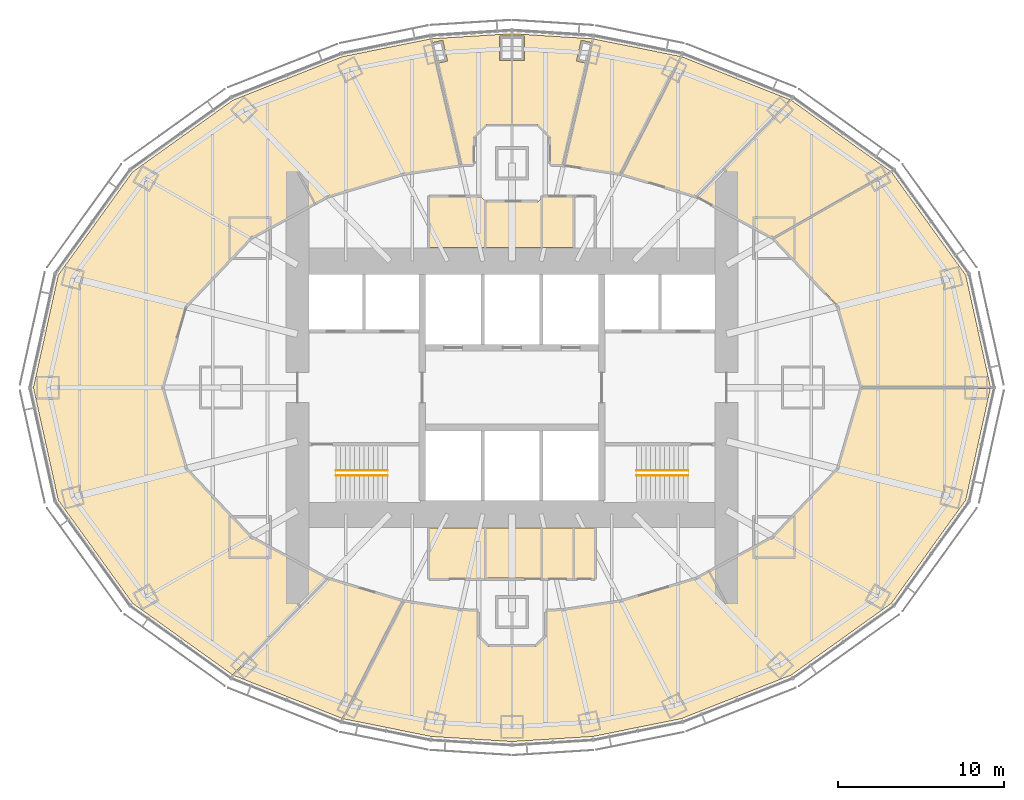
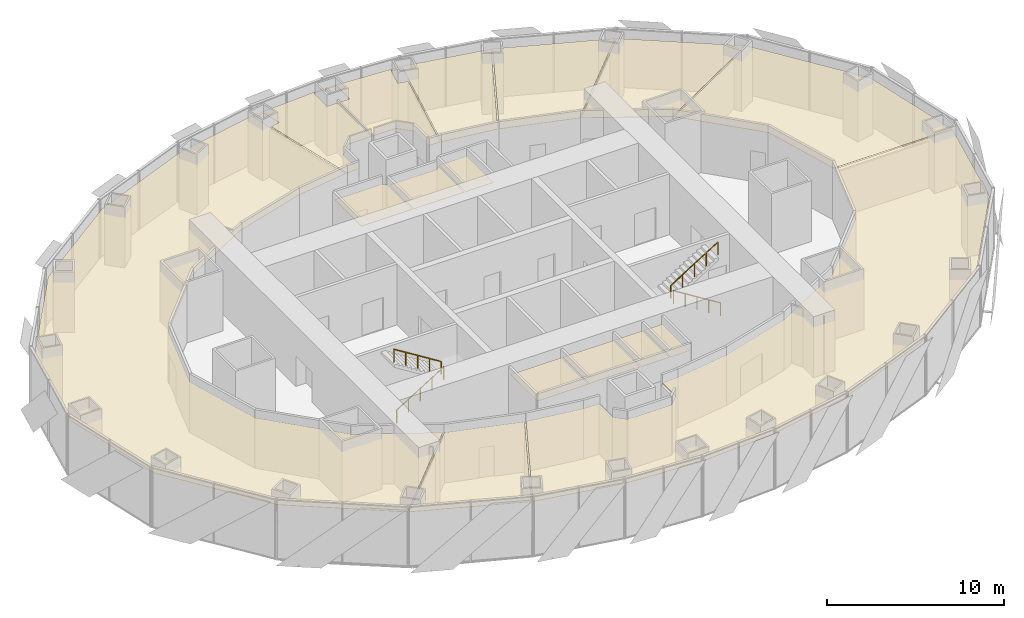
# One storey, part 18 of 18: 16 coverings, 4 railings.
"""IFC4 building model written with IfcOpenShell, lengths in metres."""

from ifc_helpers import new_model, si_unit, direction, frame, origin, origin_2d, place, context, subcontext, project, spatial, polyline, circle, outline, extrude, material, layer, layer_set, type_object, element, save


model = new_model("IFC4")

# Units and contexts
model_context = context("Model", 3, precision=1e-05, world=origin(), true_north=direction((0.0, 1.0)))
body_context = subcontext(model_context, "Body", "Model", "MODEL_VIEW")
ifc_project = project(units=[si_unit("LENGTHUNIT", "METRE"), si_unit("AREAUNIT", "SQUARE_METRE"), si_unit("VOLUMEUNIT", "CUBIC_METRE"), si_unit("PLANEANGLEUNIT", "RADIAN"), si_unit("MASSUNIT", "GRAM", prefix="KILO")], contexts=[model_context])

# Site, building, storey
site_placement = place(None, origin())
site = spatial("IfcSite", under=ifc_project, at=site_placement, CompositionType="ELEMENT")
building_placement = place(site_placement, origin())
building = spatial("IfcBuilding", under=site, at=building_placement, Name="Lantaw Convention Tower", CompositionType="ELEMENT")
storey_placement = place(building_placement, frame((0.0, 0.0, 180.39990234375)))
storey = spatial("IfcBuildingStorey", under=building, at=storey_placement, Name="L42", CompositionType="ELEMENT", Elevation=180.39990234375)

# Railings
ifc_material_1 = material(Name="Stainless steel", Category="steel")
railing_type = type_object("IfcRailingType", Name="Stair handrail", PredefinedType="HANDRAIL", material=ifc_material_1)
railing_1_placement = place(storey_placement, frame((-10.580078125, -5.280029296875, 0.175048828125)))
element("IfcRailing", 1, at=railing_1_placement, inside=storey, type_object=railing_type, Name="Stair handrail S1", PredefinedType="HANDRAIL", context=body_context, shape_type="SweptSolid", body=[
    extrude(circle(Radius=0.02392578125, at=origin_2d()), frame((0.0, 0.0, 0.8759765625), z_axis=(0.847998304005, 0.0, 0.529998940003), x_axis=(0.0, 1.0, 0.0)), (0.0, 0.0, 1.0), 3.632080078125),
    extrude(circle(Radius=0.02099609375, at=origin_2d()), origin(), (0.0, 0.0, 1.0), 0.851806640625),
    extrude(circle(Radius=0.02099609375, at=origin_2d()), frame((0.77001953125, 0.0, 0.481201171875)), (0.0, 0.0, 1.0), 0.851806640625),
    extrude(circle(Radius=0.02099609375, at=origin_2d()), frame((1.5400390625, 0.0, 0.96240234375)), (0.0, 0.0, 1.0), 0.851806640625),
    extrude(circle(Radius=0.02099609375, at=origin_2d()), frame((2.31005859375, 0.0, 1.44384765625)), (0.0, 0.0, 1.0), 0.851806640625),
    extrude(circle(Radius=0.02099609375, at=origin_2d()), frame((3.080078125, 0.0, 1.925048828125)), (0.0, 0.0, 1.0), 0.851806640625),
])
for number, where, name in (
    (2, (-7.5, -4.97998046875, 2.275146484375), "Stair handrail S1"),
    (3, (10.580078125, -5.280029296875, 0.175048828125), "Stair handrail S2"),
):
    element("IfcRailing", number, at=place(storey_placement, frame(where)), inside=storey, type_object=railing_type, Name=name, PredefinedType="HANDRAIL", context=body_context, shape_type="SweptSolid", body=[
        extrude(circle(Radius=0.02392578125, at=origin_2d()), frame((0.0, 0.0, 0.8759765625), z_axis=(-0.847998304005, 0.0, 0.529998940003), x_axis=(0.0, -1.0, 0.0)), (0.0, 0.0, 1.0), 3.632080078125),
        extrude(circle(Radius=0.02099609375, at=origin_2d()), origin(), (0.0, 0.0, 1.0), 0.851806640625),
        extrude(circle(Radius=0.02099609375, at=origin_2d()), frame((-0.77001953125, 0.0, 0.481201171875)), (0.0, 0.0, 1.0), 0.851806640625),
        extrude(circle(Radius=0.02099609375, at=origin_2d()), frame((-1.5400390625, 0.0, 0.96240234375)), (0.0, 0.0, 1.0), 0.851806640625),
        extrude(circle(Radius=0.02099609375, at=origin_2d()), frame((-2.31005859375, 0.0, 1.44384765625)), (0.0, 0.0, 1.0), 0.851806640625),
        extrude(circle(Radius=0.02099609375, at=origin_2d()), frame((-3.080078125, 0.0, 1.925048828125)), (0.0, 0.0, 1.0), 0.851806640625),
    ])
railing_2_placement = place(storey_placement, frame((7.5, -4.97998046875, 2.275146484375)))
element("IfcRailing", 4, at=railing_2_placement, inside=storey, type_object=railing_type, Name="Stair handrail S2", PredefinedType="HANDRAIL", context=body_context, shape_type="SweptSolid", body=[
    extrude(circle(Radius=0.02392578125, at=origin_2d()), frame((0.0, 0.0, 0.8759765625), z_axis=(0.847998304005, 0.0, 0.529998940003), x_axis=(0.0, 1.0, 0.0)), (0.0, 0.0, 1.0), 3.632080078125),
    extrude(circle(Radius=0.02099609375, at=origin_2d()), origin(), (0.0, 0.0, 1.0), 0.851806640625),
    extrude(circle(Radius=0.02099609375, at=origin_2d()), frame((0.77001953125, 0.0, 0.481201171875)), (0.0, 0.0, 1.0), 0.851806640625),
    extrude(circle(Radius=0.02099609375, at=origin_2d()), frame((1.5400390625, 0.0, 0.96240234375)), (0.0, 0.0, 1.0), 0.851806640625),
    extrude(circle(Radius=0.02099609375, at=origin_2d()), frame((2.31005859375, 0.0, 1.44384765625)), (0.0, 0.0, 1.0), 0.851806640625),
    extrude(circle(Radius=0.02099609375, at=origin_2d()), frame((3.080078125, 0.0, 1.925048828125)), (0.0, 0.0, 1.0), 0.851806640625),
])

# Coverings
ifc_material_2 = material(Name="Gypsum board on steel suspension grid", Category="steel")
ifc_layer = layer(ifc_material_2, 0.02001953125)
ifc_layer_set = layer_set([ifc_layer], Name="Suspended ceiling")
covering_type = type_object("IfcCoveringType", Name="Suspended ceiling", PredefinedType="CEILING", material=ifc_layer_set)
covering_1_placement = place(storey_placement, frame((0.0, 0.0, 3.4501953125)))
element("IfcCovering", 5, at=covering_1_placement, inside=storey, type_object=covering_type, Name="Male WC ceiling", PredefinedType="CEILING", context=body_context, shape_type="SweptSolid", body=[
    extrude(outline(polyline([(-4.9599609375, 11.471923828125), (-4.9599609375, 8.43994140625), (-1.639892578125, 8.43994140625), (-1.639892578125, 11.26611328125), (-1.845947265625, 11.471923828125), (-4.9599609375, 11.471923828125)])), origin(), (0.0, 0.0, 1.0), 0.02001953125),
])
covering_2_placement = place(storey_placement, frame((0.0, 0.0, 3.4501953125)))
element("IfcCovering", 6, at=covering_2_placement, inside=storey, type_object=covering_type, Name="Female WC ceiling", PredefinedType="CEILING", context=body_context, shape_type="SweptSolid", body=[
    extrude(outline(polyline([(-1.56005859375, 11.186279296875), (-1.56005859375, 8.43994140625), (1.760009765625, 8.43994140625), (1.760009765625, 11.38623046875), (1.548828125, 11.175048828125), (-1.548828125, 11.175048828125), (-1.56005859375, 11.186279296875)])), origin(), (0.0, 0.0, 1.0), 0.02001953125),
])
covering_3_placement = place(storey_placement, frame((0.0, 0.0, 3.4501953125)))
element("IfcCovering", 7, at=covering_3_placement, inside=storey, type_object=covering_type, Name="Accessible WC ceiling", PredefinedType="CEILING", context=body_context, shape_type="SweptSolid", body=[
    extrude(outline(polyline([(1.840087890625, 11.466064453125), (1.840087890625, 8.43994140625), (3.659912109375, 8.43994140625), (3.659912109375, 11.471923828125), (1.845947265625, 11.471923828125), (1.840087890625, 11.466064453125)])), origin(), (0.0, 0.0, 1.0), 0.02001953125),
])
covering_4_placement = place(storey_placement, frame((0.0, 0.0, 3.4501953125)))
element("IfcCovering", 8, at=covering_4_placement, inside=storey, type_object=covering_type, Name="Male WC ceiling", PredefinedType="CEILING", context=body_context, shape_type="SweptSolid", body=[
    extrude(outline(polyline([(-4.9599609375, -11.471923828125), (-1.639892578125, -11.471923828125), (-1.639892578125, -8.43994140625), (-4.9599609375, -8.43994140625), (-4.9599609375, -11.471923828125)])), origin(), (0.0, 0.0, 1.0), 0.02001953125),
])
covering_5_placement = place(storey_placement, frame((0.0, 0.0, 3.4501953125)))
element("IfcCovering", 9, at=covering_5_placement, inside=storey, type_object=covering_type, Name="Female WC ceiling", PredefinedType="CEILING", context=body_context, shape_type="SweptSolid", body=[
    extrude(outline(polyline([(-1.56005859375, -8.43994140625), (-1.56005859375, -11.471923828125), (-1.47802734375, -11.471923828125), (-1.441162109375, -11.43505859375), (1.441162109375, -11.43505859375), (1.47802734375, -11.471923828125), (1.760009765625, -11.471923828125), (1.760009765625, -8.43994140625), (-1.56005859375, -8.43994140625)])), origin(), (0.0, 0.0, 1.0), 0.02001953125),
])
covering_6_placement = place(storey_placement, frame((0.0, 0.0, 3.4501953125)))
element("IfcCovering", 10, at=covering_6_placement, inside=storey, type_object=covering_type, Name="Accessible WC ceiling", PredefinedType="CEILING", context=body_context, shape_type="SweptSolid", body=[
    extrude(outline(polyline([(1.840087890625, -11.471923828125), (3.659912109375, -11.471923828125), (3.659912109375, -8.43994140625), (1.840087890625, -8.43994140625), (1.840087890625, -11.471923828125)])), origin(), (0.0, 0.0, 1.0), 0.02001953125),
])
covering_7_placement = place(storey_placement, frame((0.0, 0.0, 3.4501953125)))
element("IfcCovering", 11, at=covering_7_placement, inside=storey, type_object=covering_type, Name="Pantry ceiling", PredefinedType="CEILING", context=body_context, shape_type="SweptSolid", body=[
    extrude(outline(polyline([(3.739990234375, -11.471923828125), (4.9599609375, -11.471923828125), (4.9599609375, -8.43994140625), (3.739990234375, -8.43994140625), (3.739990234375, -11.471923828125)])), origin(), (0.0, 0.0, 1.0), 0.02001953125),
])
covering_8_placement = place(storey_placement, frame((0.0, 0.0, 3.4501953125)))
element("IfcCovering", 12, at=covering_8_placement, inside=storey, type_object=covering_type, Name="Boardroom ceiling", PredefinedType="CEILING", context=body_context, shape_type="SweptSolid", body=[
    extrude(outline(polyline([(21.030029296875, 0.0400390625), (28.77099609375, 0.0400390625), (27.286865234375, 6.763671875), (22.832275390625, 12.947265625), (15.760009765625, 8.959228515625), (19.61474609375, 4.902099609375), (21.030029296875, 0.0400390625)])), origin(), (0.0, 0.0, 1.0), 0.02001953125),
])
covering_9_placement = place(storey_placement, frame((0.0, 0.0, 3.4501953125)))
element("IfcCovering", 13, at=covering_9_placement, inside=storey, type_object=covering_type, Name="Meeting room ceiling", PredefinedType="CEILING", context=body_context, shape_type="SweptSolid", body=[
    extrude(outline(polyline([(15.6953125, 9.0146484375), (22.76953125, 13.003662109375), (16.802001953125, 17.274169921875), (11.1416015625, 11.4794921875), (15.6953125, 9.0146484375)])), origin(), (0.0, 0.0, 1.0), 0.02001953125),
])
covering_10_placement = place(storey_placement, frame((0.0, 0.0, 3.4501953125)))
element("IfcCovering", 14, at=covering_10_placement, inside=storey, type_object=covering_type, Name="Meeting room ceiling", PredefinedType="CEILING", context=body_context, shape_type="SweptSolid", body=[
    extrude(outline(polyline([(11.064453125, 11.514892578125), (16.726806640625, 17.311767578125), (10.217041015625, 19.893798828125), (6.594482421875, 12.853759765625), (11.064453125, 11.514892578125)])), origin(), (0.0, 0.0, 1.0), 0.02001953125),
])
covering_11_placement = place(storey_placement, frame((0.0, 0.0, 3.4501953125)))
element("IfcCovering", 15, at=covering_11_placement, inside=storey, type_object=covering_type, Name="Meeting room ceiling", PredefinedType="CEILING", context=body_context, shape_type="SweptSolid", body=[
    extrude(outline(polyline([(6.514404296875, 12.873046875), (10.13818359375, 19.91552734375), (4.899658203125, 20.970947265625), (3.1318359375, 13.38671875), (6.514404296875, 12.873046875)])), origin(), (0.0, 0.0, 1.0), 0.02001953125),
])
covering_12_placement = place(storey_placement, frame((0.0, 0.0, 3.4501953125)))
element("IfcCovering", 16, at=covering_12_placement, inside=storey, type_object=covering_type, Name="Training room ceiling", PredefinedType="CEILING", context=body_context, shape_type="SweptSolid", body=[
    extrude(outline(polyline([(2.324951171875, 15.048828125), (2.324951171875, 13.4296875), (3.051513671875, 13.395263671875), (4.475341796875, 19.50244140625), (3.87744140625, 19.640380859375), (4.16552734375, 20.8876953125), (4.765869140625, 20.7490234375), (4.81982421875, 20.98095703125), (0.0400390625, 21.281982421875), (0.0400390625, 21.139892578125), (0.739990234375, 21.139892578125), (0.739990234375, 19.659912109375), (0.0400390625, 19.659912109375), (0.0400390625, 15.824951171875), (1.548828125, 15.824951171875), (2.324951171875, 15.048828125)])), origin(), (0.0, 0.0, 1.0), 0.02001953125),
])
covering_13_placement = place(storey_placement, frame((0.0, 0.0, 3.4501953125)))
element("IfcCovering", 17, at=covering_13_placement, inside=storey, type_object=covering_type, Name="Pantry ceiling", PredefinedType="CEILING", context=body_context, shape_type="SweptSolid", body=[
    extrude(outline(polyline([(-4.475341796875, 19.50244140625), (-3.051513671875, 13.395263671875), (-2.324951171875, 13.4296875), (-2.324951171875, 15.048828125), (-1.548828125, 15.824951171875), (-0.0400390625, 15.824951171875), (-0.0400390625, 19.659912109375), (-0.739990234375, 19.659912109375), (-0.739990234375, 21.139892578125), (-0.0400390625, 21.139892578125), (-0.0400390625, 21.281982421875), (-4.81982421875, 20.98095703125), (-4.765869140625, 20.7490234375), (-4.16552734375, 20.8876953125), (-3.87744140625, 19.640380859375), (-4.475341796875, 19.50244140625)])), origin(), (0.0, 0.0, 1.0), 0.02001953125),
])
covering_14_placement = place(storey_placement, frame((0.0, 0.0, 3.4501953125)))
element("IfcCovering", 18, at=covering_14_placement, inside=storey, type_object=covering_type, Name="Open office ceiling", PredefinedType="CEILING", context=body_context, shape_type="SweptSolid", body=[
    extrude(outline(polyline([(-3.1318359375, 13.38671875), (-4.899658203125, 20.970947265625), (-10.1865234375, 19.90576171875), (-16.778076171875, 17.29150390625), (-22.815185546875, 12.970947265625), (-27.286865234375, 6.763671875), (-28.77978515625, 0.0), (-27.286865234375, -6.763671875), (-22.815185546875, -12.970947265625), (-16.802001953125, -17.274169921875), (-11.1416015625, -11.4794921875), (-15.72021484375, -9.0009765625), (-19.61474609375, -4.902099609375), (-21.041748046875, 0.0), (-19.61474609375, 4.902099609375), (-15.72021484375, 9.0009765625), (-11.091552734375, 11.506591796875), (-6.545654296875, 12.868408203125), (-3.1318359375, 13.38671875)])), origin(), (0.0, 0.0, 1.0), 0.02001953125),
])
covering_15_placement = place(storey_placement, frame((0.0, 0.0, 3.4501953125)))
element("IfcCovering", 19, at=covering_15_placement, inside=storey, type_object=covering_type, Name="Quiet room ceiling", PredefinedType="CEILING", context=body_context, shape_type="SweptSolid", body=[
    extrude(outline(polyline([(-11.064453125, -11.514892578125), (-16.726806640625, -17.311767578125), (-10.217041015625, -19.893798828125), (-6.594482421875, -12.853759765625), (-11.064453125, -11.514892578125)])), origin(), (0.0, 0.0, 1.0), 0.02001953125),
])
covering_16_placement = place(storey_placement, frame((0.0, 0.0, 3.4501953125)))
element("IfcCovering", 20, at=covering_16_placement, inside=storey, type_object=covering_type, Name="Open office ceiling", PredefinedType="CEILING", context=body_context, shape_type="SweptSolid", body=[
    extrude(outline(polyline([(-3.0869140625, -13.3935546875), (-6.514404296875, -12.873046875), (-10.13818359375, -19.91552734375), (-4.864501953125, -20.978271484375), (0.0, -21.28466796875), (4.864501953125, -20.978271484375), (10.1865234375, -19.90576171875), (16.778076171875, -17.29150390625), (22.815185546875, -12.970947265625), (27.286865234375, -6.763671875), (28.77099609375, -0.0400390625), (21.030029296875, -0.0400390625), (19.61474609375, -4.902099609375), (15.72021484375, -9.0009765625), (11.091552734375, -11.506591796875), (6.545654296875, -12.868408203125), (3.0869140625, -13.3935546875), (2.06494140625, -13.442138671875), (2.06494140625, -14.941162109375), (1.441162109375, -15.56494140625), (-1.441162109375, -15.56494140625), (-2.06494140625, -14.941162109375), (-2.06494140625, -13.442138671875), (-3.0869140625, -13.3935546875)])), origin(), (0.0, 0.0, 1.0), 0.02001953125),
])

save(model, "model.ifc")
